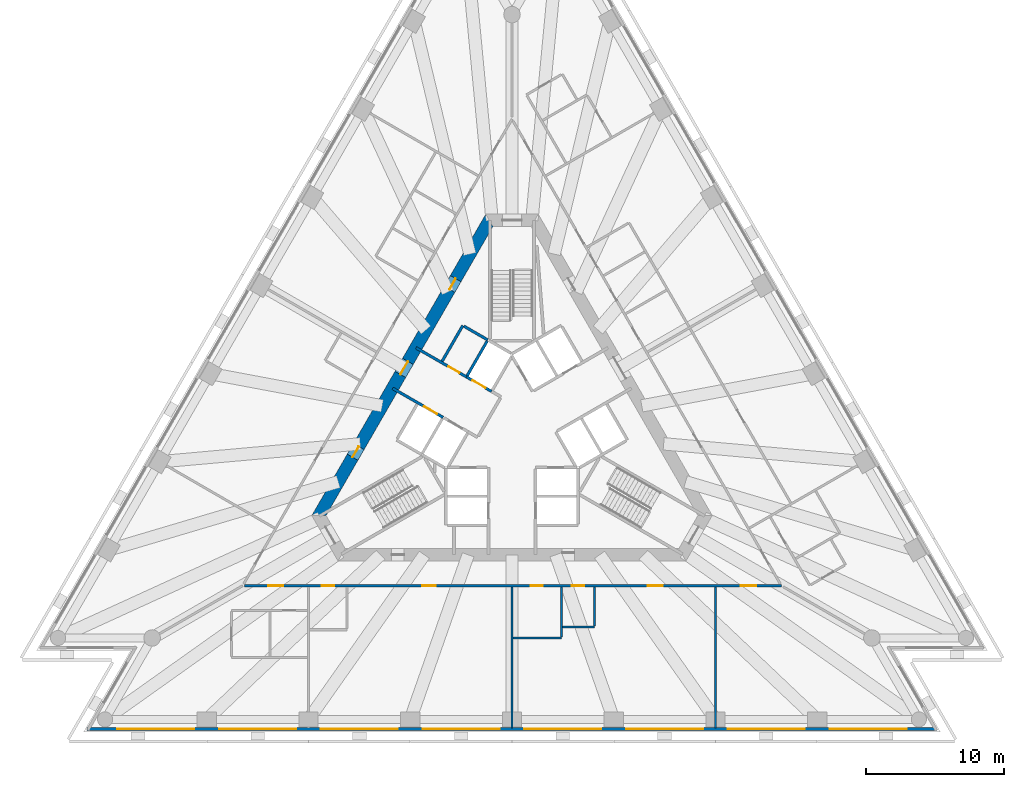
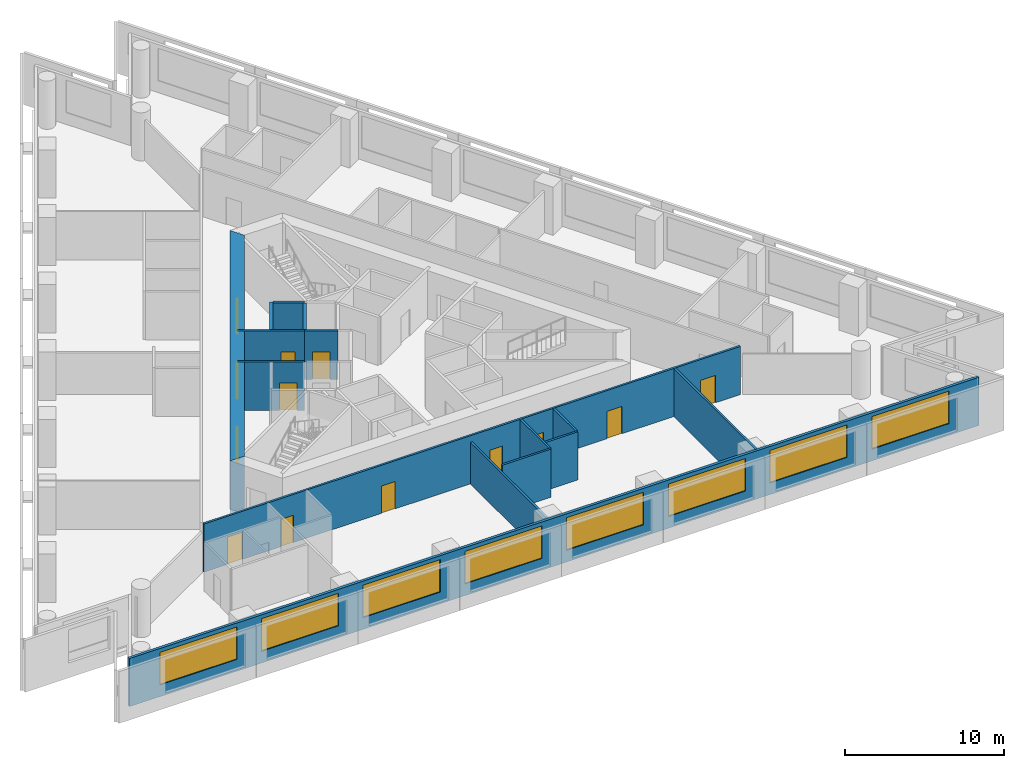
# One storey, part 4 of 11: 15 walls, 13 doors, 8 windows, 21 openings.
"""IFC4 building model written with IfcOpenShell, lengths in metres."""

from ifc_helpers import new_model, si_unit, direction, frame, frame_2d, origin, place, context, subcontext, project, spatial, polyline, rectangle, outline, extrude, material, layer, layer_set, layer_usage, type_object, element, fill, save


model = new_model("IFC4")

# Units and contexts
model_context = context("Model", 3, precision=1e-05, world=origin(), true_north=direction((0.0, 1.0)))
body_context = subcontext(model_context, "Body", "Model", "MODEL_VIEW")
ifc_project = project(units=[si_unit("LENGTHUNIT", "METRE"), si_unit("AREAUNIT", "SQUARE_METRE"), si_unit("VOLUMEUNIT", "CUBIC_METRE"), si_unit("PLANEANGLEUNIT", "RADIAN"), si_unit("MASSUNIT", "GRAM", prefix="KILO")], contexts=[model_context])

# Site, building, storey
site_placement = place(None, origin())
site = spatial("IfcSite", under=ifc_project, at=site_placement, CompositionType="ELEMENT")
building_placement = place(site_placement, origin())
building = spatial("IfcBuilding", under=site, at=building_placement, Name="Triada Interchange Tower", CompositionType="ELEMENT")
storey_placement = place(building_placement, frame((0.0, 0.0, 63.300048828125)))
storey = spatial("IfcBuildingStorey", under=building, at=storey_placement, Name="L13", CompositionType="ELEMENT", Elevation=63.300048828125)

# Wall, opening, door
ifc_material_1 = material(Name="Concrete C30/37", Category="concrete")
ifc_layer_1 = layer(ifc_material_1, 0.199951171875)
ifc_layer_set_1 = layer_set([ifc_layer_1], Name="CORE WALL 200 EI 180")
wall_type_1 = type_object("IfcWallType", Name="CORE WALL 200 EI 180", PredefinedType="SOLIDWALL", material=ifc_layer_set_1)
wall_1_placement = place(storey_placement, frame((-8.669921875, 3.04296875, 0.0), z_axis=(0.0, 0.0, 1.0), x_axis=(0.866029956157, -0.499992114976, 0.0)))
wall_1 = element("IfcWall", 1, at=wall_1_placement, inside=storey, type_object=wall_type_1, Name="Wall L12 69", PredefinedType="SOLIDWALL", context=body_context, shape_type="SweptSolid", body=[
    extrude(rectangle(XDim=4.23193359375, YDim=0.199951171875, at=frame_2d((2.115966796875, 0.0))), origin(), (0.0, 0.0, 1.0), 3.699951171875),
])
opening_1_placement = place(wall_1_placement, frame((2.6298828125, 0.0, 0.0)))
opening_1 = element("IfcOpeningElement", 2, at=opening_1_placement, cuts=wall_1, Name="Opening LD-SV1", PredefinedType="OPENING", context=body_context, shape_type="SweptSolid", body=[
    extrude(rectangle(XDim=1.10009765625, YDim=2.10009765625, at=frame_2d((0.550048828125, 1.050048828125))), frame((0.0, 0.10986328125, 0.0), z_axis=(0.0, -1.0, 0.0), x_axis=(1.0, 0.0, 0.0)), (0.0, 0.0, 1.0), 0.219970703125),
])
ifc_material_2 = material(Name="Steel S235 door leaf", Category="steel")
door_type_1 = type_object("IfcDoorType", Name="LIFT LANDING DOOR 1100 EI 120", OperationType="SLIDING_TO_LEFT", PredefinedType="DOOR", material=ifc_material_2)
door_1_placement = place(opening_1_placement, origin())
door_1 = element("IfcDoor", 3, at=door_1_placement, inside=storey, type_object=door_type_1, Name="SV1 landing door L13", OperationType="SLIDING_TO_LEFT", OverallHeight=2.10009765625, OverallWidth=1.10009765625, PredefinedType="DOOR", context=body_context, shape_type="SweptSolid", body=[
    extrude(rectangle(XDim=1.10009765625, YDim=2.10009765625, at=frame_2d((0.550048828125, 1.050048828125))), frame((0.0, 0.02490234375, 0.0), z_axis=(0.0, -1.0, 0.0), x_axis=(1.0, 0.0, 0.0)), (0.0, 0.0, 1.0), 0.050048828125),
])
fill(opening_1, door_1)

wall_2_placement = place(storey_placement, frame((-6.969970703125, 5.987060546875, 0.0), z_axis=(0.0, 0.0, 1.0), x_axis=(0.866029956157, -0.499992114976, 0.0)))
wall_2 = element("IfcWall", 4, at=wall_2_placement, inside=storey, type_object=wall_type_1, Name="Wall L12 71", PredefinedType="SOLIDWALL", context=body_context, shape_type="SweptSolid", body=[
    extrude(rectangle(XDim=4.23193359375, YDim=0.199951171875, at=frame_2d((2.115966796875, 0.0))), origin(), (0.0, 0.0, 1.0), 3.699951171875),
])
opening_2_placement = place(wall_2_placement, frame((2.72998046875, 0.0, 0.0)))
opening_2 = element("IfcOpeningElement", 5, at=opening_2_placement, cuts=wall_2, Name="Opening D12-10", PredefinedType="OPENING", context=body_context, shape_type="SweptSolid", body=[
    extrude(rectangle(XDim=0.89990234375, YDim=2.10009765625, at=frame_2d((0.449951171875, 1.050048828125))), frame((0.0, 0.10986328125, 0.0), z_axis=(0.0, -1.0, 0.0), x_axis=(1.0, 0.0, 0.0)), (0.0, 0.0, 1.0), 0.219970703125),
])
door_type_2 = type_object("IfcDoorType", Name="SERVICE DOOR 900 EI2 90-C5S200", OperationType="NOTDEFINED", PredefinedType="DOOR", material=ifc_material_2)
door_2_placement = place(opening_2_placement, origin())
door_2 = element("IfcDoor", 6, at=door_2_placement, inside=storey, type_object=door_type_2, Name="Door D12-10 L13", OperationType="SINGLE_SWING_LEFT", OverallHeight=2.10009765625, OverallWidth=0.89990234375, PredefinedType="DOOR", context=body_context, shape_type="SweptSolid", body=[
    extrude(rectangle(XDim=0.89990234375, YDim=2.10009765625, at=frame_2d((0.449951171875, 1.050048828125))), frame((0.0, 0.02490234375, 0.0), z_axis=(0.0, -1.0, 0.0), x_axis=(1.0, 0.0, 0.0)), (0.0, 0.0, 1.0), 0.050048828125),
])
fill(opening_2, door_2)

# Walls
wall_3_placement = place(storey_placement, frame((-5.075927734375, 5.009033203125, 0.0), z_axis=(0.0, 0.0, 1.0), x_axis=(0.50002537861, 0.866010750942, 0.0)))
element("IfcWall", 7, at=wall_3_placement, inside=storey, type_object=wall_type_1, Name="Wall L12 73", PredefinedType="SOLIDWALL", context=body_context, shape_type="SweptSolid", body=[
    extrude(rectangle(XDim=2.999755859375, YDim=0.199951171875, at=frame_2d((1.5, 0.0))), origin(), (0.0, 0.0, 1.0), 3.699951171875),
])
wall_4_placement = place(storey_placement, frame((-3.489013671875, 7.556884765625, 0.0), z_axis=(0.0, 0.0, 1.0), x_axis=(0.866010750942, -0.50002537861, 0.0)))
element("IfcWall", 8, at=wall_4_placement, inside=storey, type_object=wall_type_1, Name="Wall L12 74", PredefinedType="SOLIDWALL", context=body_context, shape_type="SweptSolid", body=[
    extrude(rectangle(XDim=2.0, YDim=0.199951171875, at=frame_2d((1.0, 0.0))), origin(), (0.0, 0.0, 1.0), 3.699951171875),
])

# Wall, opening, door
wall_5_placement = place(storey_placement, frame((-3.30908203125, 3.873046875, 0.0), z_axis=(0.0, 0.0, 1.0), x_axis=(0.866098583652, -0.499873227325, 0.0)))
wall_5 = element("IfcWall", 9, at=wall_5_placement, inside=storey, type_object=wall_type_1, Name="Shaft wall FF2 L12 80", PredefinedType="SOLIDWALL", context=body_context, shape_type="SweptSolid", body=[
    extrude(rectangle(XDim=2.1025390625, YDim=0.199951171875, at=frame_2d((1.05126953125, 0.0))), origin(), (0.0, 0.0, 1.0), 3.699951171875),
])
opening_3_placement = place(wall_5_placement, frame((0.501953125, 0.0, 0.0)))
opening_3 = element("IfcOpeningElement", 10, at=opening_3_placement, cuts=wall_5, Name="Opening LD-FF2", PredefinedType="OPENING", context=body_context, shape_type="SweptSolid", body=[
    extrude(rectangle(XDim=1.10009765625, YDim=2.10009765625, at=frame_2d((0.550048828125, 1.050048828125))), frame((0.0, 0.10986328125, 0.0), z_axis=(0.0, -1.0, 0.0), x_axis=(1.0, 0.0, 0.0)), (0.0, 0.0, 1.0), 0.219970703125),
])
door_3_placement = place(opening_3_placement, origin())
door_3 = element("IfcDoor", 11, at=door_3_placement, inside=storey, type_object=door_type_1, Name="FF2 landing door L13", OperationType="SLIDING_TO_LEFT", OverallHeight=2.10009765625, OverallWidth=1.10009765625, PredefinedType="DOOR", context=body_context, shape_type="SweptSolid", body=[
    extrude(rectangle(XDim=1.10009765625, YDim=2.10009765625, at=frame_2d((0.550048828125, 1.050048828125))), frame((0.0, 0.02490234375, 0.0), z_axis=(0.0, -1.0, 0.0), x_axis=(1.0, 0.0, 0.0)), (0.0, 0.0, 1.0), 0.050048828125),
])
fill(opening_3, door_3)

# Wall
wall_6_placement = place(storey_placement, frame((-3.257080078125, 3.958984375, 0.0), z_axis=(0.0, 0.0, 1.0), x_axis=(0.50012328804, 0.865954211699, 0.0)))
element("IfcWall", 12, at=wall_6_placement, inside=storey, type_object=wall_type_1, Name="Shaft wall FF2 L12 81", PredefinedType="SOLIDWALL", context=body_context, shape_type="SweptSolid", body=[
    extrude(rectangle(XDim=2.899658203125, YDim=0.199951171875, at=frame_2d((1.44970703125, 0.0))), origin(), (0.0, 0.0, 1.0), 3.699951171875),
])

# Wall, openings, doors
ifc_material_3 = material(Name="Concrete C70/85", Category="concrete")
ifc_layer_2 = layer(ifc_material_3, 0.89990234375)
ifc_layer_set_2 = layer_set([ifc_layer_2], Name="Core wall A 900")
wall_type_2 = type_object("IfcWallType", Name="Core wall A 900", PredefinedType="SHEAR", material=ifc_layer_set_2)
wall_7_placement = place(storey_placement, frame((-1.64501953125, 15.25, -0.300048828125), z_axis=(0.0, 0.0, 1.0), x_axis=(-0.500026485275, -0.866010111964, 0.0)))
wall_7 = element("IfcWall", 13, at=wall_7_placement, inside=storey, type_object=wall_type_2, Name="Core wall WA02 L13", PredefinedType="SHEAR", context=body_context, shape_type="SweptSolid", body=[
    extrude(outline(polyline([(-0.260009765625, -0.449951171875), (1.685302734375, -0.449951171875), (3.63037109375, -0.44970703125), (5.57568359375, -0.44970703125), (7.52099609375, -0.44970703125), (9.466064453125, -0.449462890625), (11.411376953125, -0.449462890625), (13.356689453125, -0.449462890625), (15.302001953125, -0.449462890625), (17.2470703125, -0.44921875), (19.1923828125, -0.44921875), (21.1376953125, -0.44921875), (23.082763671875, -0.448974609375), (25.028076171875, -0.448974609375), (24.509033203125, 0.449951171875), (22.643798828125, 0.449951171875), (20.7783203125, 0.44970703125), (18.9130859375, 0.44970703125), (17.0478515625, 0.44970703125), (15.182373046875, 0.449462890625), (13.317138671875, 0.449462890625), (11.451904296875, 0.449462890625), (9.586669921875, 0.449462890625), (7.72119140625, 0.44921875), (5.85595703125, 0.44921875), (3.99072265625, 0.44921875), (2.125244140625, 0.448974609375), (0.260009765625, 0.448974609375), (-0.260009765625, -0.449951171875)])), origin(), (0.0, 0.0, 1.0), 4.0),
])
opening_4_placement = place(wall_7_placement, frame((11.833984375, 0.0, 0.300048828125)))
opening_4 = element("IfcOpeningElement", 14, at=opening_4_placement, cuts=wall_7, Name="Opening D12-44", PredefinedType="OPENING", context=body_context, shape_type="SweptSolid", body=[
    extrude(rectangle(XDim=1.10009765625, YDim=2.10009765625, at=frame_2d((0.550048828125, 1.050048828125))), frame((0.0, 0.4599609375, 0.0), z_axis=(0.0, -1.0, 0.0), x_axis=(1.0, 0.0, 0.0)), (0.0, 0.0, 1.0), 0.919921875),
])
opening_5_placement = place(wall_7_placement, frame((18.97607421875, 0.0, 0.300048828125)))
opening_5 = element("IfcOpeningElement", 15, at=opening_5_placement, cuts=wall_7, Name="Opening D12-45", PredefinedType="OPENING", context=body_context, shape_type="SweptSolid", body=[
    extrude(rectangle(XDim=0.89990234375, YDim=2.10009765625, at=frame_2d((0.449951171875, 1.050048828125))), frame((0.0, 0.4599609375, 0.0), z_axis=(0.0, -1.0, 0.0), x_axis=(1.0, 0.0, 0.0)), (0.0, 0.0, 1.0), 0.919921875),
])
opening_6_placement = place(wall_7_placement, frame((4.89208984375, 0.0, 0.300048828125)))
opening_6 = element("IfcOpeningElement", 16, at=opening_6_placement, cuts=wall_7, Name="Opening D12-48", PredefinedType="OPENING", context=body_context, shape_type="SweptSolid", body=[
    extrude(rectangle(XDim=0.89990234375, YDim=2.10009765625, at=frame_2d((0.449951171875, 1.050048828125))), frame((0.0, 0.4599609375, 0.0), z_axis=(0.0, -1.0, 0.0), x_axis=(1.0, 0.0, 0.0)), (0.0, 0.0, 1.0), 0.919921875),
])
door_type_3 = type_object("IfcDoorType", Name="FIRE LOBBY DOOR 1100 EI2 90-C5S200", OperationType="NOTDEFINED", PredefinedType="DOOR", material=ifc_material_2)
door_4_placement = place(opening_4_placement, origin())
door_4 = element("IfcDoor", 17, at=door_4_placement, inside=storey, type_object=door_type_3, Name="Door D12-44 L13", OperationType="SINGLE_SWING_LEFT", OverallHeight=2.10009765625, OverallWidth=1.10009765625, PredefinedType="DOOR", context=body_context, shape_type="SweptSolid", body=[
    extrude(rectangle(XDim=1.10009765625, YDim=2.10009765625, at=frame_2d((0.550048828125, 1.050048828125))), frame((0.0, 0.02490234375, 0.0), z_axis=(0.0, -1.0, 0.0), x_axis=(1.0, 0.0, 0.0)), (0.0, 0.0, 1.0), 0.050048828125),
])
fill(opening_4, door_4)
door_type_4 = type_object("IfcDoorType", Name="SERVICE DOOR 900 EI2 45-C5S200", OperationType="NOTDEFINED", PredefinedType="DOOR", material=ifc_material_2)
door_5_placement = place(opening_5_placement, origin())
door_5 = element("IfcDoor", 18, at=door_5_placement, inside=storey, type_object=door_type_4, Name="Door D12-45 L13", OperationType="SINGLE_SWING_LEFT", OverallHeight=2.10009765625, OverallWidth=0.89990234375, PredefinedType="DOOR", context=body_context, shape_type="SweptSolid", body=[
    extrude(rectangle(XDim=0.89990234375, YDim=2.10009765625, at=frame_2d((0.449951171875, 1.050048828125))), frame((0.0, 0.02490234375, 0.0), z_axis=(0.0, -1.0, 0.0), x_axis=(1.0, 0.0, 0.0)), (0.0, 0.0, 1.0), 0.050048828125),
])
fill(opening_5, door_5)
door_6_placement = place(opening_6_placement, origin())
door_6 = element("IfcDoor", 19, at=door_6_placement, inside=storey, type_object=door_type_4, Name="Door D12-48 L13", OperationType="SINGLE_SWING_LEFT", OverallHeight=2.10009765625, OverallWidth=0.89990234375, PredefinedType="DOOR", context=body_context, shape_type="SweptSolid", body=[
    extrude(rectangle(XDim=0.89990234375, YDim=2.10009765625, at=frame_2d((0.449951171875, 1.050048828125))), frame((0.0, 0.02490234375, 0.0), z_axis=(0.0, -1.0, 0.0), x_axis=(1.0, 0.0, 0.0)), (0.0, 0.0, 1.0), 0.050048828125),
])
fill(opening_6, door_6)

# Wall, openings, windows
ifc_material_4 = material(Name="Cement board")
ifc_layer_3 = layer(ifc_material_4, 0.02001953125, Name="Cement board cladding")
ifc_material_5 = material(Name="Sheathing board")
ifc_layer_4 = layer(ifc_material_5, 0.014892578125, Name="Sheathing board")
ifc_material_6 = material(Name="Mineral wool")
ifc_layer_5 = layer(ifc_material_6, 0.14990234375, Name="Mineral wool between steel studs")
ifc_material_7 = material(Name="Gypsum board")
ifc_layer_6 = layer(ifc_material_7, 0.014892578125, Name="Plasterboard lining")
ifc_layer_set_3 = layer_set([ifc_layer_3, ifc_layer_4, ifc_layer_5, ifc_layer_6], Name="External wall 200")
ifc_layer_usage = layer_usage(ifc_layer_set_3, "AXIS2", "POSITIVE", -0.10009765625)
wall_type_3 = type_object("IfcWallType", Name="External wall 200", PredefinedType="ELEMENTEDWALL", material=ifc_layer_set_3)
wall_8_placement = place(storey_placement, frame((-30.868896484375, -21.715087890625, 0.0), z_axis=(0.0, 0.0, 1.0), x_axis=(1.0, 0.0, 0.0)))
wall_8 = element("IfcWall", 20, at=wall_8_placement, inside=storey, type_object=wall_type_3, material=ifc_layer_usage, Name="External wall L13 S", PredefinedType="ELEMENTEDWALL", context=body_context, shape_type="SweptSolid", body=[
    extrude(rectangle(XDim=61.718017578125, YDim=0.199951171875, at=frame_2d((30.85888671875, 0.0))), origin(), (0.0, 0.0, 1.0), 3.699951171875),
])
opening_7_placement = place(wall_8_placement, frame((2.198974609375, 0.0, 0.89990234375)))
opening_7 = element("IfcOpeningElement", 21, at=opening_7_placement, cuts=wall_8, Name="Opening WA11", PredefinedType="OPENING", context=body_context, shape_type="SweptSolid", body=[
    extrude(rectangle(XDim=5.60009765625, YDim=2.5, at=frame_2d((2.800048828125, 1.25))), frame((0.0, 0.10986328125, 0.0), z_axis=(0.0, -1.0, 0.0), x_axis=(1.0, 0.0, 0.0)), (0.0, 0.0, 1.0), 0.219970703125),
])
opening_8_placement = place(wall_8_placement, frame((9.590087890625, 0.0, 0.89990234375)))
opening_8 = element("IfcOpeningElement", 22, at=opening_8_placement, cuts=wall_8, Name="Opening WA12", PredefinedType="OPENING", context=body_context, shape_type="SweptSolid", body=[
    extrude(rectangle(XDim=5.60009765625, YDim=2.5, at=frame_2d((2.800048828125, 1.25))), frame((0.0, 0.10986328125, 0.0), z_axis=(0.0, -1.0, 0.0), x_axis=(1.0, 0.0, 0.0)), (0.0, 0.0, 1.0), 0.219970703125),
])
opening_9_placement = place(wall_8_placement, frame((16.98193359375, 0.0, 0.89990234375)))
opening_9 = element("IfcOpeningElement", 23, at=opening_9_placement, cuts=wall_8, Name="Opening WA13", PredefinedType="OPENING", context=body_context, shape_type="SweptSolid", body=[
    extrude(rectangle(XDim=5.60009765625, YDim=2.5, at=frame_2d((2.800048828125, 1.25))), frame((0.0, 0.10986328125, 0.0), z_axis=(0.0, -1.0, 0.0), x_axis=(1.0, 0.0, 0.0)), (0.0, 0.0, 1.0), 0.219970703125),
])
opening_10_placement = place(wall_8_placement, frame((24.373046875, 0.0, 0.89990234375)))
opening_10 = element("IfcOpeningElement", 24, at=opening_10_placement, cuts=wall_8, Name="Opening WA14", PredefinedType="OPENING", context=body_context, shape_type="SweptSolid", body=[
    extrude(rectangle(XDim=5.60009765625, YDim=2.5, at=frame_2d((2.800048828125, 1.25))), frame((0.0, 0.10986328125, 0.0), z_axis=(0.0, -1.0, 0.0), x_axis=(1.0, 0.0, 0.0)), (0.0, 0.0, 1.0), 0.219970703125),
])
opening_11_placement = place(wall_8_placement, frame((31.764892578125, 0.0, 0.89990234375)))
opening_11 = element("IfcOpeningElement", 25, at=opening_11_placement, cuts=wall_8, Name="Opening WA15", PredefinedType="OPENING", context=body_context, shape_type="SweptSolid", body=[
    extrude(rectangle(XDim=5.60009765625, YDim=2.5, at=frame_2d((2.800048828125, 1.25))), frame((0.0, 0.10986328125, 0.0), z_axis=(0.0, -1.0, 0.0), x_axis=(1.0, 0.0, 0.0)), (0.0, 0.0, 1.0), 0.219970703125),
])
opening_12_placement = place(wall_8_placement, frame((39.156005859375, 0.0, 0.89990234375)))
opening_12 = element("IfcOpeningElement", 26, at=opening_12_placement, cuts=wall_8, Name="Opening WA16", PredefinedType="OPENING", context=body_context, shape_type="SweptSolid", body=[
    extrude(rectangle(XDim=5.60009765625, YDim=2.5, at=frame_2d((2.800048828125, 1.25))), frame((0.0, 0.10986328125, 0.0), z_axis=(0.0, -1.0, 0.0), x_axis=(1.0, 0.0, 0.0)), (0.0, 0.0, 1.0), 0.219970703125),
])
opening_13_placement = place(wall_8_placement, frame((46.548095703125, 0.0, 0.89990234375)))
opening_13 = element("IfcOpeningElement", 27, at=opening_13_placement, cuts=wall_8, Name="Opening WA17", PredefinedType="OPENING", context=body_context, shape_type="SweptSolid", body=[
    extrude(rectangle(XDim=5.60009765625, YDim=2.5, at=frame_2d((2.800048828125, 1.25))), frame((0.0, 0.10986328125, 0.0), z_axis=(0.0, -1.0, 0.0), x_axis=(1.0, 0.0, 0.0)), (0.0, 0.0, 1.0), 0.219970703125),
])
opening_14_placement = place(wall_8_placement, frame((53.93896484375, 0.0, 0.89990234375)))
opening_14 = element("IfcOpeningElement", 28, at=opening_14_placement, cuts=wall_8, Name="Opening WA18", PredefinedType="OPENING", context=body_context, shape_type="SweptSolid", body=[
    extrude(rectangle(XDim=5.60009765625, YDim=2.5, at=frame_2d((2.800048828125, 1.25))), frame((0.0, 0.10986328125, 0.0), z_axis=(0.0, -1.0, 0.0), x_axis=(1.0, 0.0, 0.0)), (0.0, 0.0, 1.0), 0.219970703125),
])
ifc_material_8 = material(Name="Double glazed aluminium window", Category="aluminium")
window_type = type_object("IfcWindowType", Name="Ribbon window A face", PartitioningType="SINGLE_PANEL", PredefinedType="WINDOW", material=ifc_material_8)
window_1_placement = place(opening_7_placement, origin())
window_1 = element("IfcWindow", 29, at=window_1_placement, inside=storey, type_object=window_type, Name="Window L13 S 1", OverallHeight=2.5, OverallWidth=5.60009765625, PartitioningType="SINGLE_PANEL", PredefinedType="WINDOW", context=body_context, shape_type="SweptSolid", body=[
    extrude(rectangle(XDim=5.60009765625, YDim=2.5, at=frame_2d((2.800048828125, 1.25))), frame((0.0, 0.030029296875, 0.0), z_axis=(0.0, -1.0, 0.0), x_axis=(1.0, 0.0, 0.0)), (0.0, 0.0, 1.0), 0.06005859375),
])
fill(opening_7, window_1)
window_2_placement = place(opening_8_placement, origin())
window_2 = element("IfcWindow", 30, at=window_2_placement, inside=storey, type_object=window_type, Name="Window L13 S 2", OverallHeight=2.5, OverallWidth=5.60009765625, PartitioningType="SINGLE_PANEL", PredefinedType="WINDOW", context=body_context, shape_type="SweptSolid", body=[
    extrude(rectangle(XDim=5.60009765625, YDim=2.5, at=frame_2d((2.800048828125, 1.25))), frame((0.0, 0.030029296875, 0.0), z_axis=(0.0, -1.0, 0.0), x_axis=(1.0, 0.0, 0.0)), (0.0, 0.0, 1.0), 0.06005859375),
])
fill(opening_8, window_2)
window_3_placement = place(opening_9_placement, origin())
window_3 = element("IfcWindow", 31, at=window_3_placement, inside=storey, type_object=window_type, Name="Window L13 S 3", OverallHeight=2.5, OverallWidth=5.60009765625, PartitioningType="SINGLE_PANEL", PredefinedType="WINDOW", context=body_context, shape_type="SweptSolid", body=[
    extrude(rectangle(XDim=5.60009765625, YDim=2.5, at=frame_2d((2.800048828125, 1.25))), frame((0.0, 0.030029296875, 0.0), z_axis=(0.0, -1.0, 0.0), x_axis=(1.0, 0.0, 0.0)), (0.0, 0.0, 1.0), 0.06005859375),
])
fill(opening_9, window_3)
window_4_placement = place(opening_10_placement, origin())
window_4 = element("IfcWindow", 32, at=window_4_placement, inside=storey, type_object=window_type, Name="Window L13 S 4", OverallHeight=2.5, OverallWidth=5.60009765625, PartitioningType="SINGLE_PANEL", PredefinedType="WINDOW", context=body_context, shape_type="SweptSolid", body=[
    extrude(rectangle(XDim=5.60009765625, YDim=2.5, at=frame_2d((2.800048828125, 1.25))), frame((0.0, 0.030029296875, 0.0), z_axis=(0.0, -1.0, 0.0), x_axis=(1.0, 0.0, 0.0)), (0.0, 0.0, 1.0), 0.06005859375),
])
fill(opening_10, window_4)
window_5_placement = place(opening_11_placement, origin())
window_5 = element("IfcWindow", 33, at=window_5_placement, inside=storey, type_object=window_type, Name="Window L13 S 5", OverallHeight=2.5, OverallWidth=5.60009765625, PartitioningType="SINGLE_PANEL", PredefinedType="WINDOW", context=body_context, shape_type="SweptSolid", body=[
    extrude(rectangle(XDim=5.60009765625, YDim=2.5, at=frame_2d((2.800048828125, 1.25))), frame((0.0, 0.030029296875, 0.0), z_axis=(0.0, -1.0, 0.0), x_axis=(1.0, 0.0, 0.0)), (0.0, 0.0, 1.0), 0.06005859375),
])
fill(opening_11, window_5)
window_6_placement = place(opening_12_placement, origin())
window_6 = element("IfcWindow", 34, at=window_6_placement, inside=storey, type_object=window_type, Name="Window L13 S 6", OverallHeight=2.5, OverallWidth=5.60009765625, PartitioningType="SINGLE_PANEL", PredefinedType="WINDOW", context=body_context, shape_type="SweptSolid", body=[
    extrude(rectangle(XDim=5.60009765625, YDim=2.5, at=frame_2d((2.800048828125, 1.25))), frame((0.0, 0.030029296875, 0.0), z_axis=(0.0, -1.0, 0.0), x_axis=(1.0, 0.0, 0.0)), (0.0, 0.0, 1.0), 0.06005859375),
])
fill(opening_12, window_6)
window_7_placement = place(opening_13_placement, origin())
window_7 = element("IfcWindow", 35, at=window_7_placement, inside=storey, type_object=window_type, Name="Window L13 S 7", OverallHeight=2.5, OverallWidth=5.60009765625, PartitioningType="SINGLE_PANEL", PredefinedType="WINDOW", context=body_context, shape_type="SweptSolid", body=[
    extrude(rectangle(XDim=5.60009765625, YDim=2.5, at=frame_2d((2.800048828125, 1.25))), frame((0.0, 0.030029296875, 0.0), z_axis=(0.0, -1.0, 0.0), x_axis=(1.0, 0.0, 0.0)), (0.0, 0.0, 1.0), 0.06005859375),
])
fill(opening_13, window_7)
window_8_placement = place(opening_14_placement, origin())
window_8 = element("IfcWindow", 36, at=window_8_placement, inside=storey, type_object=window_type, Name="Window L13 S 8", OverallHeight=2.5, OverallWidth=5.60009765625, PartitioningType="SINGLE_PANEL", PredefinedType="WINDOW", context=body_context, shape_type="SweptSolid", body=[
    extrude(rectangle(XDim=5.60009765625, YDim=2.5, at=frame_2d((2.800048828125, 1.25))), frame((0.0, 0.030029296875, 0.0), z_axis=(0.0, -1.0, 0.0), x_axis=(1.0, 0.0, 0.0)), (0.0, 0.0, 1.0), 0.06005859375),
])
fill(opening_14, window_8)

# Wall, openings, doors
ifc_material_9 = material(Name="Gypsum board partition")
ifc_layer_7 = layer(ifc_material_9, 0.14990234375)
ifc_layer_set_4 = layer_set([ifc_layer_7], Name="PARTITION 150 EI 180")
wall_type_4 = type_object("IfcWallType", Name="PARTITION 150 EI 180", PredefinedType="PARTITIONING", material=ifc_layer_set_4)
wall_9_placement = place(storey_placement, frame((-19.422119140625, -11.300048828125, 0.0), z_axis=(0.0, 0.0, 1.0), x_axis=(1.0, 0.0, 0.0)))
wall_9 = element("IfcWall", 37, at=wall_9_placement, inside=storey, type_object=wall_type_4, Name="Wall L12 5", PredefinedType="PARTITIONING", context=body_context, shape_type="SweptSolid", body=[
    extrude(rectangle(XDim=38.994140625, YDim=0.14990234375, at=frame_2d((19.4970703125, 0.0))), origin(), (0.0, 0.0, 1.0), 3.699951171875),
])
opening_15_placement = place(wall_9_placement, frame((1.699951171875, 0.0, 0.0)))
opening_15 = element("IfcOpeningElement", 38, at=opening_15_placement, cuts=wall_9, Name="Opening D12-11", PredefinedType="OPENING", context=body_context, shape_type="SweptSolid", body=[
    extrude(rectangle(XDim=1.10009765625, YDim=2.10009765625, at=frame_2d((0.550048828125, 1.050048828125))), frame((0.0, 0.0849609375, 0.0), z_axis=(0.0, -1.0, 0.0), x_axis=(1.0, 0.0, 0.0)), (0.0, 0.0, 1.0), 0.169921875),
])
opening_16_placement = place(wall_9_placement, frame((12.888916015625, 0.0, 0.0)))
opening_16 = element("IfcOpeningElement", 39, at=opening_16_placement, cuts=wall_9, Name="Opening D12-14", PredefinedType="OPENING", context=body_context, shape_type="SweptSolid", body=[
    extrude(rectangle(XDim=1.0, YDim=2.10009765625, at=frame_2d((0.5, 1.050048828125))), frame((0.0, 0.0849609375, 0.0), z_axis=(0.0, -1.0, 0.0), x_axis=(1.0, 0.0, 0.0)), (0.0, 0.0, 1.0), 0.169921875),
])
opening_17_placement = place(wall_9_placement, frame((5.589111328125, 0.0, 0.0)))
opening_17 = element("IfcOpeningElement", 40, at=opening_17_placement, cuts=wall_9, Name="Opening D12-15", PredefinedType="OPENING", context=body_context, shape_type="SweptSolid", body=[
    extrude(rectangle(XDim=0.89990234375, YDim=2.10009765625, at=frame_2d((0.449951171875, 1.050048828125))), frame((0.0, 0.0849609375, 0.0), z_axis=(0.0, -1.0, 0.0), x_axis=(1.0, 0.0, 0.0)), (0.0, 0.0, 1.0), 0.169921875),
])
opening_18_placement = place(wall_9_placement, frame((29.27197265625, 0.0, 0.0)))
opening_18 = element("IfcOpeningElement", 41, at=opening_18_placement, cuts=wall_9, Name="Opening D12-16", PredefinedType="OPENING", context=body_context, shape_type="SweptSolid", body=[
    extrude(rectangle(XDim=1.10009765625, YDim=2.10009765625, at=frame_2d((0.550048828125, 1.050048828125))), frame((0.0, 0.0849609375, 0.0), z_axis=(0.0, -1.0, 0.0), x_axis=(1.0, 0.0, 0.0)), (0.0, 0.0, 1.0), 0.169921875),
])
opening_19_placement = place(wall_9_placement, frame((20.77197265625, 0.0, 0.0)))
opening_19 = element("IfcOpeningElement", 42, at=opening_19_placement, cuts=wall_9, Name="Opening D12-17", PredefinedType="OPENING", context=body_context, shape_type="SweptSolid", body=[
    extrude(rectangle(XDim=0.89990234375, YDim=2.10009765625, at=frame_2d((0.449951171875, 1.050048828125))), frame((0.0, 0.0849609375, 0.0), z_axis=(0.0, -1.0, 0.0), x_axis=(1.0, 0.0, 0.0)), (0.0, 0.0, 1.0), 0.169921875),
])
opening_20_placement = place(wall_9_placement, frame((23.77197265625, 0.0, 0.0)))
opening_20 = element("IfcOpeningElement", 43, at=opening_20_placement, cuts=wall_9, Name="Opening D12-18", PredefinedType="OPENING", context=body_context, shape_type="SweptSolid", body=[
    extrude(rectangle(XDim=0.89990234375, YDim=2.10009765625, at=frame_2d((0.449951171875, 1.050048828125))), frame((0.0, 0.0849609375, 0.0), z_axis=(0.0, -1.0, 0.0), x_axis=(1.0, 0.0, 0.0)), (0.0, 0.0, 1.0), 0.169921875),
])
opening_21_placement = place(wall_9_placement, frame((36.054931640625, 0.0, 0.0)))
opening_21 = element("IfcOpeningElement", 44, at=opening_21_placement, cuts=wall_9, Name="Opening D12-19", PredefinedType="OPENING", context=body_context, shape_type="SweptSolid", body=[
    extrude(rectangle(XDim=1.10009765625, YDim=2.10009765625, at=frame_2d((0.550048828125, 1.050048828125))), frame((0.0, 0.0849609375, 0.0), z_axis=(0.0, -1.0, 0.0), x_axis=(1.0, 0.0, 0.0)), (0.0, 0.0, 1.0), 0.169921875),
])
door_type_5 = type_object("IfcDoorType", Name="ROOM DOOR 1000 EI2 90-C5S200", OperationType="NOTDEFINED", PredefinedType="DOOR", material=ifc_material_2)
door_7_placement = place(opening_16_placement, origin())
door_7 = element("IfcDoor", 45, at=door_7_placement, inside=storey, type_object=door_type_5, Name="Door D12-14 L13", OperationType="SINGLE_SWING_LEFT", OverallHeight=2.10009765625, OverallWidth=1.0, PredefinedType="DOOR", context=body_context, shape_type="SweptSolid", body=[
    extrude(rectangle(XDim=1.0, YDim=2.10009765625, at=frame_2d((0.5, 1.050048828125))), frame((0.0, 0.02490234375, 0.0), z_axis=(0.0, -1.0, 0.0), x_axis=(1.0, 0.0, 0.0)), (0.0, 0.0, 1.0), 0.050048828125),
])
fill(opening_16, door_7)
door_type_6 = type_object("IfcDoorType", Name="ROOM DOOR 900 EI2 90-C5S200", OperationType="NOTDEFINED", PredefinedType="DOOR", material=ifc_material_2)
door_8_placement = place(opening_17_placement, origin())
door_8 = element("IfcDoor", 46, at=door_8_placement, inside=storey, type_object=door_type_6, Name="Door D12-15 L13", OperationType="SINGLE_SWING_RIGHT", OverallHeight=2.10009765625, OverallWidth=0.89990234375, PredefinedType="DOOR", context=body_context, shape_type="SweptSolid", body=[
    extrude(rectangle(XDim=0.89990234375, YDim=2.10009765625, at=frame_2d((0.449951171875, 1.050048828125))), frame((0.0, 0.02490234375, 0.0), z_axis=(0.0, -1.0, 0.0), x_axis=(1.0, 0.0, 0.0)), (0.0, 0.0, 1.0), 0.050048828125),
])
fill(opening_17, door_8)
door_9_placement = place(opening_19_placement, origin())
door_9 = element("IfcDoor", 47, at=door_9_placement, inside=storey, type_object=door_type_6, Name="Door D12-17 L13", OperationType="SINGLE_SWING_RIGHT", OverallHeight=2.10009765625, OverallWidth=0.89990234375, PredefinedType="DOOR", context=body_context, shape_type="SweptSolid", body=[
    extrude(rectangle(XDim=0.89990234375, YDim=2.10009765625, at=frame_2d((0.449951171875, 1.050048828125))), frame((0.0, 0.02490234375, 0.0), z_axis=(0.0, -1.0, 0.0), x_axis=(1.0, 0.0, 0.0)), (0.0, 0.0, 1.0), 0.050048828125),
])
fill(opening_19, door_9)
door_10_placement = place(opening_20_placement, origin())
door_10 = element("IfcDoor", 48, at=door_10_placement, inside=storey, type_object=door_type_6, Name="Door D12-18 L13", OperationType="SINGLE_SWING_RIGHT", OverallHeight=2.10009765625, OverallWidth=0.89990234375, PredefinedType="DOOR", context=body_context, shape_type="SweptSolid", body=[
    extrude(rectangle(XDim=0.89990234375, YDim=2.10009765625, at=frame_2d((0.449951171875, 1.050048828125))), frame((0.0, 0.02490234375, 0.0), z_axis=(0.0, -1.0, 0.0), x_axis=(1.0, 0.0, 0.0)), (0.0, 0.0, 1.0), 0.050048828125),
])
fill(opening_20, door_10)
door_type_7 = type_object("IfcDoorType", Name="TENANCY ENTRANCE DOOR 1100 EI2 90-C5S200", OperationType="NOTDEFINED", PredefinedType="DOOR", material=ifc_material_2)
door_11_placement = place(opening_15_placement, origin())
door_11 = element("IfcDoor", 49, at=door_11_placement, inside=storey, type_object=door_type_7, Name="Door D12-11 L13", OperationType="SINGLE_SWING_RIGHT", OverallHeight=2.10009765625, OverallWidth=1.10009765625, PredefinedType="DOOR", context=body_context, shape_type="SweptSolid", body=[
    extrude(rectangle(XDim=1.10009765625, YDim=2.10009765625, at=frame_2d((0.550048828125, 1.050048828125))), frame((0.0, 0.02490234375, 0.0), z_axis=(0.0, -1.0, 0.0), x_axis=(1.0, 0.0, 0.0)), (0.0, 0.0, 1.0), 0.050048828125),
])
fill(opening_15, door_11)
door_12_placement = place(opening_18_placement, origin())
door_12 = element("IfcDoor", 50, at=door_12_placement, inside=storey, type_object=door_type_7, Name="Door D12-16 L13", OperationType="SINGLE_SWING_RIGHT", OverallHeight=2.10009765625, OverallWidth=1.10009765625, PredefinedType="DOOR", context=body_context, shape_type="SweptSolid", body=[
    extrude(rectangle(XDim=1.10009765625, YDim=2.10009765625, at=frame_2d((0.550048828125, 1.050048828125))), frame((0.0, 0.02490234375, 0.0), z_axis=(0.0, -1.0, 0.0), x_axis=(1.0, 0.0, 0.0)), (0.0, 0.0, 1.0), 0.050048828125),
])
fill(opening_18, door_12)
door_13_placement = place(opening_21_placement, origin())
door_13 = element("IfcDoor", 51, at=door_13_placement, inside=storey, type_object=door_type_7, Name="Door D12-19 L13", OperationType="SINGLE_SWING_LEFT", OverallHeight=2.10009765625, OverallWidth=1.10009765625, PredefinedType="DOOR", context=body_context, shape_type="SweptSolid", body=[
    extrude(rectangle(XDim=1.10009765625, YDim=2.10009765625, at=frame_2d((0.550048828125, 1.050048828125))), frame((0.0, 0.02490234375, 0.0), z_axis=(0.0, -1.0, 0.0), x_axis=(1.0, 0.0, 0.0)), (0.0, 0.0, 1.0), 0.050048828125),
])
fill(opening_21, door_13)

# Walls
wall_10_placement = place(storey_placement, frame((0.0, -21.635009765625, 0.0), z_axis=(0.0, 0.0, 1.0), x_axis=(0.0, 1.0, 0.0)))
element("IfcWall", 52, at=wall_10_placement, inside=storey, type_object=wall_type_4, Name="Wall L12 18", PredefinedType="PARTITIONING", context=body_context, shape_type="SweptSolid", body=[
    extrude(rectangle(XDim=10.260009765625, YDim=0.14990234375, at=frame_2d((5.1298828125, 0.0))), origin(), (0.0, 0.0, 1.0), 3.199951171875),
])
wall_11_placement = place(storey_placement, frame((0.074951171875, -15.10009765625, 0.0), z_axis=(0.0, 0.0, 1.0), x_axis=(1.0, 0.0, 0.0)))
element("IfcWall", 53, at=wall_11_placement, inside=storey, type_object=wall_type_4, Name="Wall L12 20", PredefinedType="PARTITIONING", context=body_context, shape_type="SweptSolid", body=[
    extrude(rectangle(XDim=3.525146484375, YDim=0.14990234375, at=frame_2d((1.7626953125, 0.0))), origin(), (0.0, 0.0, 1.0), 3.699951171875),
])
wall_12_placement = place(storey_placement, frame((3.60009765625, -15.02490234375, 0.0), z_axis=(0.0, 0.0, 1.0), x_axis=(0.0, 1.0, 0.0)))
element("IfcWall", 54, at=wall_12_placement, inside=storey, type_object=wall_type_4, Name="Wall L12 21", PredefinedType="PARTITIONING", context=body_context, shape_type="SweptSolid", body=[
    extrude(rectangle(XDim=3.64990234375, YDim=0.14990234375, at=frame_2d((1.824951171875, 0.0))), origin(), (0.0, 0.0, 1.0), 3.699951171875),
])
wall_13_placement = place(storey_placement, frame((3.675048828125, -14.300048828125, 0.0), z_axis=(0.0, 0.0, 1.0), x_axis=(1.0, 0.0, 0.0)))
element("IfcWall", 55, at=wall_13_placement, inside=storey, type_object=wall_type_4, Name="Wall L12 24", PredefinedType="PARTITIONING", context=body_context, shape_type="SweptSolid", body=[
    extrude(rectangle(XDim=2.324951171875, YDim=0.14990234375, at=frame_2d((1.16259765625, 0.0))), origin(), (0.0, 0.0, 1.0), 3.699951171875),
])
wall_14_placement = place(storey_placement, frame((6.0, -14.22509765625, 0.0), z_axis=(0.0, 0.0, 1.0), x_axis=(0.0, 1.0, 0.0)))
element("IfcWall", 56, at=wall_14_placement, inside=storey, type_object=wall_type_4, Name="Wall L12 25", PredefinedType="PARTITIONING", context=body_context, shape_type="SweptSolid", body=[
    extrude(rectangle(XDim=2.85009765625, YDim=0.14990234375, at=frame_2d((1.425048828125, 0.0))), origin(), (0.0, 0.0, 1.0), 3.699951171875),
])
wall_15_placement = place(storey_placement, frame((14.782958984375, -21.635009765625, 0.0), z_axis=(0.0, 0.0, 1.0), x_axis=(0.0, 1.0, 0.0)))
element("IfcWall", 57, at=wall_15_placement, inside=storey, type_object=wall_type_4, Name="Wall L12 30", PredefinedType="PARTITIONING", context=body_context, shape_type="SweptSolid", body=[
    extrude(rectangle(XDim=10.260009765625, YDim=0.14990234375, at=frame_2d((5.1298828125, 0.0))), origin(), (0.0, 0.0, 1.0), 3.699951171875),
])

save(model, "model.ifc")
